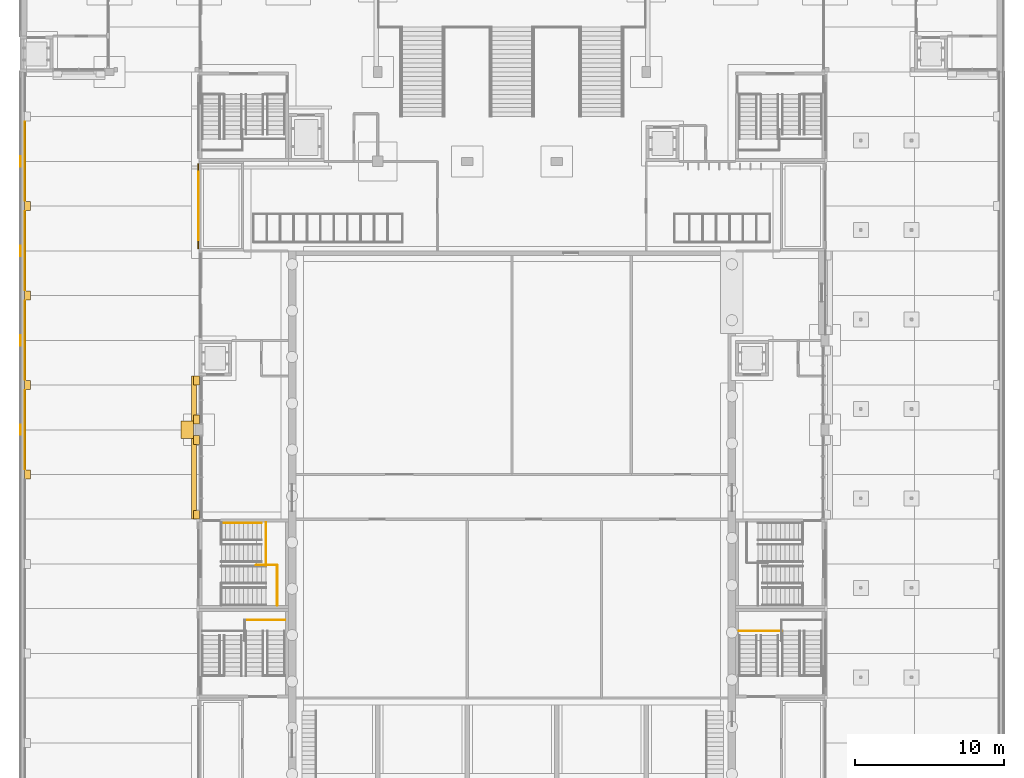
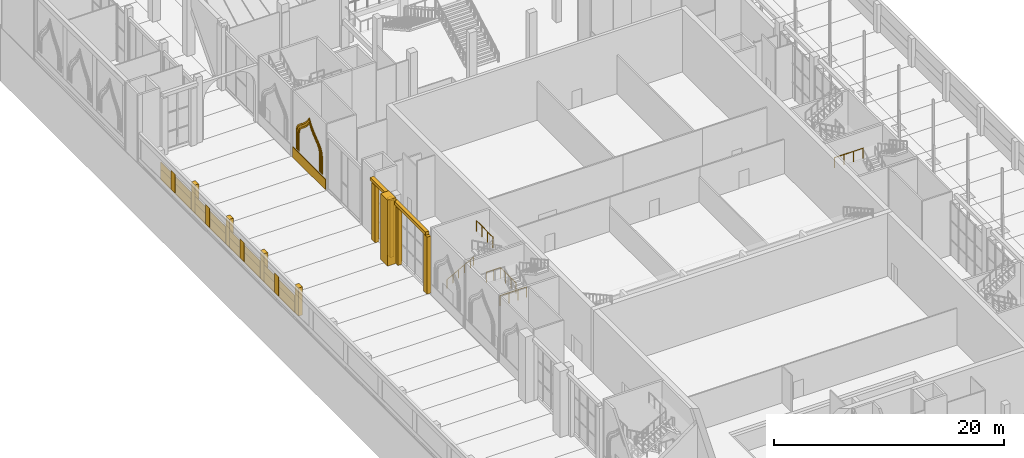
# One storey, part 79 of 95: 27 coverings, 6 railings.
"""IFC4 building model written with IfcOpenShell, lengths in metres."""

from ifc_helpers import new_model, si_unit, direction, frame, origin, origin_2d, place, context, subcontext, project, spatial, polyline, rectangle, circle, outline, extrude, material, layer, layer_set, type_object, element, save


model = new_model("IFC4")

# Units and contexts
model_context = context("Model", 3, precision=1e-05, world=origin(), true_north=direction((0.0, 1.0)))
body_context = subcontext(model_context, "Body", "Model", "MODEL_VIEW")
ifc_project = project(units=[si_unit("LENGTHUNIT", "METRE"), si_unit("AREAUNIT", "SQUARE_METRE"), si_unit("VOLUMEUNIT", "CUBIC_METRE"), si_unit("PLANEANGLEUNIT", "RADIAN"), si_unit("MASSUNIT", "GRAM", prefix="KILO")], contexts=[model_context])

# Site, building, storey
site_placement = place(None, origin())
site = spatial("IfcSite", under=ifc_project, at=site_placement, CompositionType="ELEMENT")
building_placement = place(site_placement, origin())
building = spatial("IfcBuilding", under=site, at=building_placement, Name="Saffron Lane Theatres", CompositionType="ELEMENT")
storey_placement = place(building_placement, origin())
storey = spatial("IfcBuildingStorey", under=building, at=storey_placement, Name="L00", CompositionType="ELEMENT", Elevation=0.0)

# Coverings
ifc_material_1 = material(Name="Masonry sandstone", Category="masonry")
ifc_layer_1 = layer(ifc_material_1, 0.050048828125)
ifc_layer_set_1 = layer_set([ifc_layer_1], Name="Masonry sandstone")
covering_type_1 = type_object("IfcCoveringType", Name="EX-ARCH FRAME RING SANDSTONE 50", PredefinedType="CLADDING", material=ifc_layer_set_1)
covering_1_placement = place(storey_placement, frame((12.0, 91.172119140625, 3.2509765625), z_axis=(1.0, 0.0, 0.0), x_axis=(0.0, -0.065135536954, -0.99787642613)))
element("IfcCovering", 1, at=covering_1_placement, inside=storey, type_object=covering_type_1, Name="Arch recess ring L00", PredefinedType="CLADDING", context=body_context, shape_type="SweptSolid", body=[
    extrude(outline(polyline([(0.0, 0.0), (0.18740969708573668, 0.0), (1.997522452492249, 0.11815357411269665), (1.9896985549870747, 0.23801568389197042), (0.183483754370132, 0.12011654547049898), (0.007116566283568505, 0.11961403498032921), (-0.14448703206527552, 0.14079008147177355), (-0.2794193678358172, 0.18018054300880104), (-0.40235696903277546, 0.23821414373112607), (-0.5155611328619141, 0.31205201741390365), (-0.625657364722737, 0.4019956703512356), (-0.7335088376977259, 0.506276138399879), (-0.842303630997932, 0.6212600798891378), (-0.9577404680175718, 0.7480434765589647), (-1.0807671217064587, 0.882405240291934), (-1.2171510130954402, 1.0227456066794671), (-1.3679989374413455, 1.167279709347619), (-1.536758498360276, 1.3126019265693414), (-1.7297638723852824, 1.4582988003463926), (-1.9475550992709907, 1.6013991578944908), (-2.111889387430287, 1.693918972205478), (-1.9609765819831193, 1.807016273044302), (-1.7636356237796356, 1.9772140317078826), (-1.5912077362824661, 2.1467642515372956), (-1.4427712262001475, 2.3127911731324673), (-1.311991916999629, 2.4757082544916393), (-1.195008747066568, 2.63258694080881), (-1.0904922899143137, 2.7818013880170493), (-0.9925161022050024, 2.922515138781455), (-0.8995917351449673, 3.0506661272916173), (-0.806211292108411, 3.168081837899761), (-0.7087414314246381, 3.2715741913948344), (-0.6060963487813447, 3.359501441479207), (-0.4917459521632366, 3.4330238149048653), (-0.3630790952891151, 3.4896204900609957), (-0.21551466353847096, 3.5303244758539734), (-0.040578676215049125, 3.5527529820354737), (1.7656361244018934, 3.6706521204569453), (1.757812226896719, 3.790514230236219), (-0.052300528509793526, 3.672360656123522), (-0.23812000252537277, 3.6479984386887105), (-0.4035216484093588, 3.6031942217316395), (-0.5487967950282042, 3.5386629695446508), (-0.6774833706683956, 3.4561310282927082), (-0.792452046016181, 3.3583469395302723), (-0.8964621761428975, 3.2463538895913655), (-0.9946406402267327, 3.1237317886515266), (-1.0911926241544108, 2.991184787486221), (-1.189168811863722, 2.850471036721815), (-1.2927743892413905, 2.7022946871337745), (-1.4071044310042007, 2.549748404548941), (-1.5339965989320263, 2.3909996159012654), (-1.6788054921467017, 2.229368706961237), (-1.8444863812018073, 2.0651520953091325), (-2.03605482966062, 1.900224335900053), (-2.331392966517941, 1.6795910623433596), (-2.0098797579258285, 1.499222236923052), (-1.7984971300128545, 1.3605967670943766), (-1.6128748436579747, 1.219311172113942), (-1.4482835754505412, 1.0778760961649125), (-1.301831663759779, 0.9369696103644036), (-1.1686415763849018, 0.8005799941723696), (-1.0466530203162137, 0.6671291102139867), (-0.931216183296574, 0.5403457135441597), (-0.8182530972848712, 0.421474630782208), (-0.7049675140345404, 0.31265566609133544), (-0.5872814655044701, 0.2151336460908612), (-0.4605769438989229, 0.1331245701843867), (-0.32225361645357753, 0.0680214737813698), (-0.16982246601902362, 0.02292274751170524), (0.0, 0.0)])), origin(), (0.0, 0.0, -1.0), 0.050048828125),
])
covering_2_placement = place(storey_placement, frame((12.0, 90.9130859375, 3.27392578125), z_axis=(1.0, 0.0, 0.0), x_axis=(0.0, -0.062958960636, -0.998016116741)))
element("IfcCovering", 2, at=covering_2_placement, inside=storey, type_object=covering_type_1, Name="Arch recess ring L00", PredefinedType="CLADDING", context=body_context, shape_type="SweptSolid", body=[
    extrude(outline(polyline([(0.0, 0.0), (0.2093997997570811, 1.734723475976807e-18), (2.0207405741359783, 0.1142668245519398), (2.0081364853368675, 0.31406497292303154), (0.20264346164200212, 0.2001670485310657), (0.014274956036030101, 0.2002706593784658), (-0.14739496978219557, 0.22309635677685571), (-0.2905891459217245, 0.26714690705226696), (-0.4198140749540906, 0.3301810140167095), (-0.5412072763618241, 0.41254537550571446), (-0.6585135422009568, 0.511557495294286), (-0.7751594312105067, 0.6272458379009402), (-0.8944177937295017, 0.7572023050591806), (-1.0207490198094793, 0.8984546317455132), (-1.1555689346014508, 1.0501796240844403), (-1.3048459783479582, 1.2100437608479786), (-1.4715017492295357, 1.3739487206601206), (-1.6583217850282097, 1.5395171469343678), (-1.8710923530680161, 1.7054055143967404), (-2.110785801301479, 1.8676384683912226), (-2.2511995632723147, 1.9490475606388133), (-2.1221294812206786, 2.047456801925205), (-1.9047237509856438, 2.2385254517576536), (-1.7144868343842479, 2.4298371885782326), (-1.5500159999439975, 2.6185449912449217), (-1.4052175635408781, 2.8011192594616725), (-1.27721376235287, 2.978475412143977), (-1.1625296479594784, 3.145940144641794), (-1.0549508466781778, 3.3019484777270853), (-0.9529693083179642, 3.4458616676043414), (-0.8517864843473237, 3.5752915411700266), (-0.7479143326672433, 3.689235008791619), (-0.6377725861387162, 3.7852270431655883), (-0.517493485985719, 3.8640008902889207), (-0.3809702544057195, 3.925697164883087), (-0.22345045538720115, 3.9686586626800566), (-0.03658829210112283, 3.9924333671257872), (1.7689047315937425, 4.106331291517753), (1.7563006427946315, 4.306129439888845), (-0.05504013158426574, 4.191862615336905), (-0.2627798806214639, 4.165547737258761), (-0.44886439326167116, 4.113934733703883), (-0.6136756633433789, 4.039201140338785), (-0.758906191137579, 3.9449095763009914), (-0.8880132770632868, 3.831575818666023), (-1.0043050674624912, 3.705106824316425), (-1.1127008004252155, 3.5659261452877242), (-1.2194917038339788, 3.416817042200464), (-1.326947538395288, 3.2588594588871618), (-1.4407799943946658, 3.0934054599773515), (-1.5652541952866263, 2.922142991419062), (-1.70337087061318, 2.7461058845248125), (-1.861282910696856, 2.5658844934086362), (-2.041108645005653, 2.3840360704140555), (-2.249031705542097, 2.201638282212107), (-2.6105925740617786, 1.9263755716404125), (-2.217306291784335, 1.6987317233853592), (-1.9881099886893914, 1.5439092221414654), (-1.7868573034221058, 1.3861007929051894), (-1.607549054059939, 1.2271526443475125), (-1.4484050696148687, 1.0698679622519405), (-1.3033954264843568, 0.9156056427324515), (-1.1696731035263819, 0.7657684172615394), (-1.043218910726413, 0.6225668403471962), (-0.9185363495589115, 0.4880600352589063), (-0.7935093677173604, 0.3636046209491667), (-0.662246379159212, 0.2527524000384675), (-0.5199203708344367, 0.1565417581622911), (-0.3639917384009912, 0.08124855236315773), (-0.19109540647985374, 0.027818943236556214), (0.0, 0.0)])), origin(), (0.0, 0.0, -1.0), 0.050048828125),
])
covering_3_placement = place(storey_placement, frame((12.0, 90.715087890625, 3.2890625), z_axis=(1.0, 0.0, 0.0), x_axis=(0.0, -0.06709359494, -0.997746686047)))
element("IfcCovering", 3, at=covering_3_placement, inside=storey, type_object=covering_type_1, Name="Arch recess ring L00", PredefinedType="CLADDING", context=body_context, shape_type="SweptSolid", body=[
    extrude(outline(polyline([(0.0, 0.0), (0.22560601743694642, 0.0), (2.035483428894474, 0.12170542246243679), (2.0260811526504043, 0.2615263691887653), (0.2201011891852481, 0.14008303108156392), (0.01071956716665417, 0.13897181455120095), (-0.17142747453431323, 0.16587403386188582), (-0.3331092155041877, 0.21593003212833642), (-0.48038265768664534, 0.28824312154645093), (-0.6168852783023322, 0.3823240075336731), (-0.7487538670724254, 0.49482371701846667), (-0.8788951297190015, 0.6253020962348818), (-1.0110263312402075, 0.7708175653329278), (-1.1488974971785952, 0.9289157254616601), (-1.297492985846535, 1.097303866908647), (-1.460513681969971, 1.2727968193243737), (-1.6412879511812173, 1.4539473064003936), (-1.844929080386752, 1.6367411046554097), (-2.075674276128173, 1.818691054694073), (-2.3373554653090434, 1.9985607101630554), (-2.542925767863297, 2.119073014734118), (-2.355341004187072, 2.2660230786395514), (-2.1200975743405728, 2.479308489401047), (-1.915790137933522, 2.6905136055928613), (-1.7384557258847402, 2.8989261495721372), (-1.583562286752989, 3.1026486517428054), (-1.4455051254657245, 3.2983876206004665), (-1.3207920736686103, 3.4851544274583355), (-1.2053291201028489, 3.660288070677369), (-1.0938698221008347, 3.822183811977627), (-0.9823693092203761, 3.9689114212186367), (-0.8667499504748774, 4.098053487260877), (-0.7440722795978576, 4.209562982871254), (-0.6078063803352867, 4.300942709132743), (-0.45428201492211384, 4.372194779628856), (-0.27737666032585434, 4.423241520165602), (-0.06973134716069487, 4.450173329645427), (1.7362486163044613, 4.571616667752628), (1.7268463400603915, 4.711437614478956), (-0.08303107139713625, 4.589732192016519), (-0.3066059350810083, 4.55952697007564), (-0.5042635093698382, 4.504148440135226), (-0.677221746761242, 4.423514700834264), (-0.8305326402399086, 4.319977642223469), (-0.9666669689289844, 4.197530880344912), (-1.0906275849965517, 4.057795533750737), (-1.2065904010624193, 3.904650556577603), (-1.320710700703477, 3.7386608040185467), (-1.4370824951785224, 3.5624872777126115), (-1.5611958176546843, 3.3777183356675353), (-1.6965428364862989, 3.185342606570103), (-1.8473792520706767, 2.9867867592895387), (-2.020234980661847, 2.7845479927428642), (-2.218065868798494, 2.5789169246626993), (-2.4457458400545917, 2.3732361873700505), (-2.7901701248793653, 2.1024470384488727), (-2.412592169117314, 1.8802090163350522), (-2.159424494314574, 1.7068629363695702), (-1.9358438182760498, 1.5295697391992324), (-1.7374676255938326, 1.3522945074887294), (-1.5614055908180482, 1.1757209855035342), (-1.4015209242275195, 1.0031981463151827), (-1.2537872492357676, 0.8367095880477752), (-1.1148762002104782, 0.6777025870097586), (-0.979559828339758, 0.5284862331857677), (-0.8441372488976622, 0.39224569692531625), (-0.702584220484919, 0.27036484703155256), (-0.5512817597365947, 0.1672468063516067), (-0.38548909883984245, 0.08516790432570873), (-0.20329238792639093, 0.028416601895573258), (0.0, 0.0)])), origin(), (0.0, 0.0, -1.0), 0.050048828125),
])
ifc_material_2 = material(Name="Masonry sandstone", Category="masonry")
ifc_layer_2 = layer(ifc_material_2, 0.0400390625)
ifc_layer_set_2 = layer_set([ifc_layer_2], Name="Masonry sandstone")
covering_type_2 = type_object("IfcCoveringType", Name="EX-BANDING COURSE SANDSTONE 40", PredefinedType="CLADDING", material=ifc_layer_set_2)
for number, where, z_axis, x_axis, name in (
    (4, (0.330078125, 78.0, 1.10009765625), (0.0, 0.0, 1.0), (0.0, 1.0, 0.0), "Banding course L00"),
    (5, (0.330078125, 84.0, 1.10009765625), (0.0, 0.0, 1.0), (0.0, 1.0, 0.0), "Banding course L00"),
    (6, (0.330078125, 90.0, 1.10009765625), (0.0, 0.0, 1.0), (0.0, 1.0, 0.0), "Banding course L00"),
    (7, (0.330078125, 96.0, 1.10009765625), (0.0, 0.0, 1.0), (0.0, 1.0, 0.0), "Banding course L00"),
):
    element("IfcCovering", number, at=place(storey_placement, frame(where, z_axis=z_axis, x_axis=x_axis)), inside=storey, type_object=covering_type_2, Name=name, PredefinedType="CLADDING", context=body_context, shape_type="SweptSolid", body=[
        extrude(rectangle(XDim=5.300048828125, YDim=0.0400390625, at=origin_2d()), origin(), (0.0, 0.0, 1.0), 0.75),
    ])
ifc_material_3 = material(Name="Masonry sandstone", Category="masonry")
ifc_layer_3 = layer(ifc_material_3, 0.39990234375)
ifc_layer_set_3 = layer_set([ifc_layer_3], Name="Masonry sandstone")
covering_type_3 = type_object("IfcCoveringType", Name="EX-BOUNDARY PILASTER SANDSTONE 400", PredefinedType="CLADDING", material=ifc_layer_set_3)
for number, where, z_axis, x_axis, name in (
    (8, (0.510009765625, 75.0, 0.0), (0.0, 0.0, 1.0), (0.0, 1.0, 0.0), "Boundary wall pilaster L00"),
    (9, (0.510009765625, 81.0, 0.0), (0.0, 0.0, 1.0), (0.0, 1.0, 0.0), "Boundary wall pilaster L00"),
    (10, (0.510009765625, 87.0, 0.0), (0.0, 0.0, 1.0), (0.0, 1.0, 0.0), "Boundary wall pilaster L00"),
    (11, (0.510009765625, 93.0, 0.0), (0.0, 0.0, 1.0), (0.0, 1.0, 0.0), "Boundary wall pilaster L00"),
):
    element("IfcCovering", number, at=place(storey_placement, frame(where, z_axis=z_axis, x_axis=x_axis)), inside=storey, type_object=covering_type_3, Name=name, PredefinedType="CLADDING", context=body_context, shape_type="SweptSolid", body=[
        extrude(rectangle(XDim=0.60009765625, YDim=0.39990234375, at=origin_2d()), origin(), (0.0, 0.0, 1.0), 3.0),
    ])
ifc_material_4 = material(Name="Face brick cladding, pale buff", Category="masonry")
ifc_layer_4 = layer(ifc_material_4, 0.0400390625)
ifc_layer_set_4 = layer_set([ifc_layer_4], Name="Face brick cladding, pale buff")
covering_type_4 = type_object("IfcCoveringType", Name="EX-FACE BRICK SKIN PALE BUFF 40", PredefinedType="CLADDING", material=ifc_layer_set_4)
for number, where, z_axis, x_axis, name in (
    (12, (0.0400390625, 78.0, 0.4501953125), (0.0, 0.0, 1.0), (0.0, 1.0, 0.0), "Face brick cladding, pale buff L00"),
    (13, (0.0400390625, 84.0, 0.4501953125), (0.0, 0.0, 1.0), (0.0, 1.0, 0.0), "Face brick cladding, pale buff L00"),
    (14, (0.0400390625, 90.0, 0.4501953125), (0.0, 0.0, 1.0), (0.0, 1.0, 0.0), "Face brick cladding, pale buff L00"),
    (15, (0.0400390625, 96.0, 0.4501953125), (0.0, 0.0, 1.0), (0.0, 1.0, 0.0), "Face brick cladding, pale buff L00"),
):
    element("IfcCovering", number, at=place(storey_placement, frame(where, z_axis=z_axis, x_axis=x_axis)), inside=storey, type_object=covering_type_4, Name=name, PredefinedType="CLADDING", context=body_context, shape_type="SweptSolid", body=[
        extrude(rectangle(XDim=0.699951171875, YDim=0.0400390625, at=origin_2d()), origin(), (0.0, 0.0, 1.0), 2.050048828125),
    ])
ifc_material_5 = material(Name="Masonry sandstone", Category="masonry")
ifc_layer_5 = layer(ifc_material_5, 1.199951171875)
ifc_layer_set_5 = layer_set([ifc_layer_5], Name="Masonry sandstone")
covering_type_5 = type_object("IfcCoveringType", Name="EX-FLANK BUTTRESS PIER SANDSTONE 1200", PredefinedType="CLADDING", material=ifc_layer_set_5)
covering_4_placement = place(storey_placement, frame((11.22509765625, 78.0, 0.0), z_axis=(0.0, 0.0, 1.0), x_axis=(0.0, 1.0, 0.0)))
element("IfcCovering", 16, at=covering_4_placement, inside=storey, type_object=covering_type_5, Name="Flank buttress west L00", PredefinedType="CLADDING", context=body_context, shape_type="SweptSolid", body=[
    extrude(rectangle(XDim=1.199951171875, YDim=0.85009765625, at=origin_2d()), origin(), (0.0, 0.0, 1.0), 7.0),
])
ifc_material_6 = material(Name="Masonry sandstone", Category="masonry")
ifc_layer_6 = layer(ifc_material_6, 0.39990234375)
ifc_layer_set_6 = layer_set([ifc_layer_6], Name="Masonry sandstone")
covering_type_6 = type_object("IfcCoveringType", Name="EX-PILASTER PIER SANDSTONE 400", PredefinedType="CLADDING", material=ifc_layer_set_6)
for number, where, z_axis, x_axis, name in (
    (17, (11.85009765625, 72.300048828125, 0.0), (0.0, 0.0, 1.0), (0.0, 1.0, 0.0), "Pilaster pier L00"),
    (18, (11.85009765625, 77.324951171875, 0.0), (0.0, 0.0, 1.0), (0.0, 1.0, 0.0), "Pilaster pier L00"),
    (19, (11.85009765625, 78.675048828125, 0.0), (0.0, 0.0, 1.0), (0.0, 1.0, 0.0), "Pilaster pier L00"),
    (20, (11.85009765625, 81.300048828125, 0.0), (0.0, 0.0, 1.0), (0.0, 1.0, 0.0), "Pilaster pier L00"),
):
    element("IfcCovering", number, at=place(storey_placement, frame(where, z_axis=z_axis, x_axis=x_axis)), inside=storey, type_object=covering_type_6, Name=name, PredefinedType="CLADDING", context=body_context, shape_type="SweptSolid", body=[
        extrude(rectangle(XDim=0.60009765625, YDim=0.39990234375, at=origin_2d()), origin(), (0.0, 0.0, 1.0), 6.050048828125),
    ])
ifc_material_7 = material(Name="Masonry sandstone", Category="masonry")
ifc_layer_7 = layer(ifc_material_7, 0.070068359375)
ifc_layer_set_7 = layer_set([ifc_layer_7], Name="Masonry sandstone")
covering_type_7 = type_object("IfcCoveringType", Name="EX-PLINTH COURSE SANDSTONE 70", PredefinedType="CLADDING", material=ifc_layer_set_7)
covering_5_placement = place(storey_placement, frame((11.965087890625, 93.0, 0.0), z_axis=(0.0, 0.0, 1.0), x_axis=(0.0, 1.0, 0.0)))
element("IfcCovering", 21, at=covering_5_placement, inside=storey, type_object=covering_type_7, Name="Plinth course L00", PredefinedType="CLADDING", context=body_context, shape_type="SweptSolid", body=[
    extrude(rectangle(XDim=5.699951171875, YDim=0.070068359375, at=origin_2d()), origin(), (0.0, 0.0, 1.0), 1.10009765625),
])
for number, where, z_axis, x_axis, name in (
    (22, (0.344970703125, 78.0, 0.0), (0.0, 0.0, 1.0), (0.0, 1.0, 0.0), "Plinth course L00"),
    (23, (0.344970703125, 84.0, 0.0), (0.0, 0.0, 1.0), (0.0, 1.0, 0.0), "Plinth course L00"),
    (24, (0.344970703125, 90.0, 0.0), (0.0, 0.0, 1.0), (0.0, 1.0, 0.0), "Plinth course L00"),
    (25, (0.344970703125, 96.0, 0.0), (0.0, 0.0, 1.0), (0.0, 1.0, 0.0), "Plinth course L00"),
):
    element("IfcCovering", number, at=place(storey_placement, frame(where, z_axis=z_axis, x_axis=x_axis)), inside=storey, type_object=covering_type_7, Name=name, PredefinedType="CLADDING", context=body_context, shape_type="SweptSolid", body=[
        extrude(rectangle(XDim=5.300048828125, YDim=0.070068359375, at=origin_2d()), origin(), (0.0, 0.0, 1.0), 1.10009765625),
    ])
ifc_material_8 = material(Name="Masonry sandstone", Category="masonry")
ifc_layer_8 = layer(ifc_material_8, 0.300048828125)
ifc_layer_set_8 = layer_set([ifc_layer_8], Name="Masonry sandstone")
covering_type_8 = type_object("IfcCoveringType", Name="EX-STRING COURSE SANDSTONE 350", PredefinedType="CLADDING", material=ifc_layer_set_8)
covering_6_placement = place(storey_placement, frame((11.675048828125, 74.81201171875, 6.300048828125), z_axis=(0.0, 0.0, 1.0), x_axis=(0.0, 1.0, 0.0)))
element("IfcCovering", 26, at=covering_6_placement, inside=storey, type_object=covering_type_8, Name="String course L00", PredefinedType="CLADDING", context=body_context, shape_type="SweptSolid", body=[
    extrude(rectangle(XDim=5.625, YDim=0.35009765625, at=origin_2d()), origin(), (0.0, 0.0, 1.0), 0.35009765625),
])
covering_7_placement = place(storey_placement, frame((11.675048828125, 79.988037109375, 6.300048828125), z_axis=(0.0, 0.0, 1.0), x_axis=(0.0, 1.0, 0.0)))
element("IfcCovering", 27, at=covering_7_placement, inside=storey, type_object=covering_type_8, Name="String course L00", PredefinedType="CLADDING", context=body_context, shape_type="SweptSolid", body=[
    extrude(rectangle(XDim=3.22509765625, YDim=0.35009765625, at=origin_2d()), origin(), (0.0, 0.0, 1.0), 0.35009765625),
])

# Railings
ifc_material_9 = material(Name="Steel Grade 350", Category="steel")
railing_type_1 = type_object("IfcRailingType", Name="VC-GUARD 1100", PredefinedType="GUARDRAIL", material=ifc_material_9)
railing_1_placement = place(storey_placement, frame((17.25, 68.89990234375, 1.666748046875)))
element("IfcRailing", 28, at=railing_1_placement, inside=storey, type_object=railing_type_1, Name="Auditorium West Rear Stair landing guard 1N1s", PredefinedType="GUARDRAIL", context=body_context, shape_type="SweptSolid", body=[
    extrude(circle(Radius=0.02392578125, at=origin_2d()), frame((0.0, 0.0, 1.076171875), z_axis=(0.0, -1.0, 0.0), x_axis=(1.0, 0.0, 0.0)), (0.0, 0.0, 1.0), 2.669921875),
    extrude(circle(Radius=0.02099609375, at=origin_2d()), origin(), (0.0, 0.0, 1.0), 1.052001953125),
    extrude(circle(Radius=0.02099609375, at=origin_2d()), frame((0.0, -0.889892578125, 0.0)), (0.0, 0.0, 1.0), 1.052001953125),
    extrude(circle(Radius=0.02099609375, at=origin_2d()), frame((0.0, -1.780029296875, 0.0)), (0.0, 0.0, 1.0), 1.052001953125),
    extrude(circle(Radius=0.02099609375, at=origin_2d()), frame((0.0, -2.669921875, 0.0)), (0.0, 0.0, 1.0), 1.052001953125),
])
railing_2_placement = place(storey_placement, frame((15.85009765625, 68.929931640625, 1.666748046875)))
element("IfcRailing", 29, at=railing_2_placement, inside=storey, type_object=railing_type_1, Name="Auditorium West Rear Stair landing guard 1N1e", PredefinedType="GUARDRAIL", context=body_context, shape_type="SweptSolid", body=[
    extrude(circle(Radius=0.02392578125, at=origin_2d()), frame((0.0, 0.0, 1.076171875), z_axis=(1.0, 0.0, 0.0), x_axis=(0.0, 1.0, 0.0)), (0.0, 0.0, 1.0), 1.39990234375),
    extrude(circle(Radius=0.02099609375, at=origin_2d()), origin(), (0.0, 0.0, 1.0), 1.052001953125),
    extrude(circle(Radius=0.02099609375, at=origin_2d()), frame((0.699951171875, 0.0, 0.0)), (0.0, 0.0, 1.0), 1.052001953125),
    extrude(circle(Radius=0.02099609375, at=origin_2d()), frame((1.39990234375, 0.0, 0.0)), (0.0, 0.0, 1.0), 1.052001953125),
])
railing_3_placement = place(storey_placement, frame((16.5, 71.77001953125, 5.166748046875)))
element("IfcRailing", 30, at=railing_3_placement, inside=storey, type_object=railing_type_1, Name="Auditorium West Rear Stair landing guard 1N2s", PredefinedType="GUARDRAIL", context=body_context, shape_type="SweptSolid", body=[
    extrude(circle(Radius=0.02392578125, at=origin_2d()), frame((0.0, 0.0, 1.076171875), z_axis=(0.0, -1.0, 0.0), x_axis=(1.0, 0.0, 0.0)), (0.0, 0.0, 1.0), 2.8701171875),
    extrude(circle(Radius=0.02099609375, at=origin_2d()), origin(), (0.0, 0.0, 1.0), 1.052001953125),
    extrude(circle(Radius=0.02099609375, at=origin_2d()), frame((0.0, -0.956787109375, 0.0)), (0.0, 0.0, 1.0), 1.052001953125),
    extrude(circle(Radius=0.02099609375, at=origin_2d()), frame((0.0, -1.913330078125, 0.0)), (0.0, 0.0, 1.0), 1.052001953125),
    extrude(circle(Radius=0.02099609375, at=origin_2d()), frame((0.0, -2.8701171875, 0.0)), (0.0, 0.0, 1.0), 1.052001953125),
])
railing_4_placement = place(storey_placement, frame((15.10009765625, 65.25, 1.666748046875)))
element("IfcRailing", 31, at=railing_4_placement, inside=storey, type_object=railing_type_1, Name="Auditorium West Front Stair landing guard 1N1s", PredefinedType="GUARDRAIL", context=body_context, shape_type="SweptSolid", body=[
    extrude(circle(Radius=0.02392578125, at=origin_2d()), frame((0.0, 0.0, 1.076171875), z_axis=(1.0, 0.0, 0.0), x_axis=(0.0, 1.0, 0.0)), (0.0, 0.0, 1.0), 2.669921875),
    extrude(circle(Radius=0.02099609375, at=origin_2d()), origin(), (0.0, 0.0, 1.0), 1.052001953125),
    extrude(circle(Radius=0.02099609375, at=origin_2d()), frame((0.889892578125, 0.0, 0.0)), (0.0, 0.0, 1.0), 1.052001953125),
    extrude(circle(Radius=0.02099609375, at=origin_2d()), frame((1.780029296875, 0.0, 0.0)), (0.0, 0.0, 1.0), 1.052001953125),
    extrude(circle(Radius=0.02099609375, at=origin_2d()), frame((2.669921875, 0.0, 0.0)), (0.0, 0.0, 1.0), 1.052001953125),
])
railing_5_placement = place(storey_placement, frame((48.22998046875, 64.5, 5.166748046875)))
element("IfcRailing", 32, at=railing_5_placement, inside=storey, type_object=railing_type_1, Name="Auditorium East Front Stair landing guard 1N2s", PredefinedType="GUARDRAIL", context=body_context, shape_type="SweptSolid", body=[
    extrude(circle(Radius=0.02392578125, at=origin_2d()), frame((0.0, 0.0, 1.076171875), z_axis=(1.0, 0.0, 0.0), x_axis=(0.0, 1.0, 0.0)), (0.0, 0.0, 1.0), 2.8701171875),
    extrude(circle(Radius=0.02099609375, at=origin_2d()), origin(), (0.0, 0.0, 1.0), 1.052001953125),
    extrude(circle(Radius=0.02099609375, at=origin_2d()), frame((0.956787109375, 0.0, 0.0)), (0.0, 0.0, 1.0), 1.052001953125),
    extrude(circle(Radius=0.02099609375, at=origin_2d()), frame((1.913330078125, 0.0, 0.0)), (0.0, 0.0, 1.0), 1.052001953125),
    extrude(circle(Radius=0.02099609375, at=origin_2d()), frame((2.8701171875, 0.0, 0.0)), (0.0, 0.0, 1.0), 1.052001953125),
])
ifc_material_10 = material(Name="Steel Grade 350", Category="steel")
railing_type_2 = type_object("IfcRailingType", Name="VC-HANDRAIL 900", PredefinedType="HANDRAIL", material=ifc_material_10)
railing_6_placement = place(storey_placement, frame((13.5, 71.75, 0.166748046875)))
element("IfcRailing", 33, at=railing_6_placement, inside=storey, type_object=railing_type_2, Name="Auditorium West Rear Stair handrail 1.1a", PredefinedType="HANDRAIL", context=body_context, shape_type="SweptSolid", body=[
    extrude(circle(Radius=0.02392578125, at=origin_2d()), frame((0.0, 0.0, 0.8759765625), z_axis=(0.874241147926, 0.0, 0.485491931212), x_axis=(0.0, 1.0, 0.0)), (0.0, 0.0, 1.0), 0.6865234375),
    extrude(circle(Radius=0.02392578125, at=origin_2d()), frame((0.60009765625, 0.0, 1.208984375), z_axis=(0.874157276122, 0.0, 0.485642931179), x_axis=(0.0, 1.0, 0.0)), (0.0, 0.0, 1.0), 0.686279296875),
    extrude(circle(Radius=0.02392578125, at=origin_2d()), frame((1.199951171875, 0.0, 1.54248046875), z_axis=(0.874090171491, 0.0, 0.485763699861), x_axis=(0.0, 1.0, 0.0)), (0.0, 0.0, 1.0), 0.6865234375),
    extrude(circle(Radius=0.02392578125, at=origin_2d()), frame((1.800048828125, 0.0, 1.8759765625), z_axis=(0.874157276122, 0.0, 0.485642931179), x_axis=(0.0, 1.0, 0.0)), (0.0, 0.0, 1.0), 0.686279296875),
    extrude(circle(Radius=0.02392578125, at=origin_2d()), frame((2.39990234375, 0.0, 2.208984375), z_axis=(0.874090171491, 0.0, 0.485763699861), x_axis=(0.0, 1.0, 0.0)), (0.0, 0.0, 1.0), 0.34326171875),
    extrude(circle(Radius=0.02099609375, at=origin_2d()), origin(), (0.0, 0.0, 1.0), 0.851806640625),
    extrude(circle(Radius=0.02099609375, at=origin_2d()), frame((0.60009765625, 0.0, 0.333251953125)), (0.0, 0.0, 1.0), 0.851806640625),
    extrude(circle(Radius=0.02099609375, at=origin_2d()), frame((1.199951171875, 0.0, 0.66650390625)), (0.0, 0.0, 1.0), 0.851806640625),
    extrude(circle(Radius=0.02099609375, at=origin_2d()), frame((1.800048828125, 0.0, 1.0)), (0.0, 0.0, 1.0), 0.851806640625),
    extrude(circle(Radius=0.02099609375, at=origin_2d()), frame((2.39990234375, 0.0, 1.333251953125)), (0.0, 0.0, 1.0), 0.851806640625),
    extrude(circle(Radius=0.02099609375, at=origin_2d()), frame((2.699951171875, 0.0, 1.5)), (0.0, 0.0, 1.0), 0.851806640625),
])

save(model, "model.ifc")
